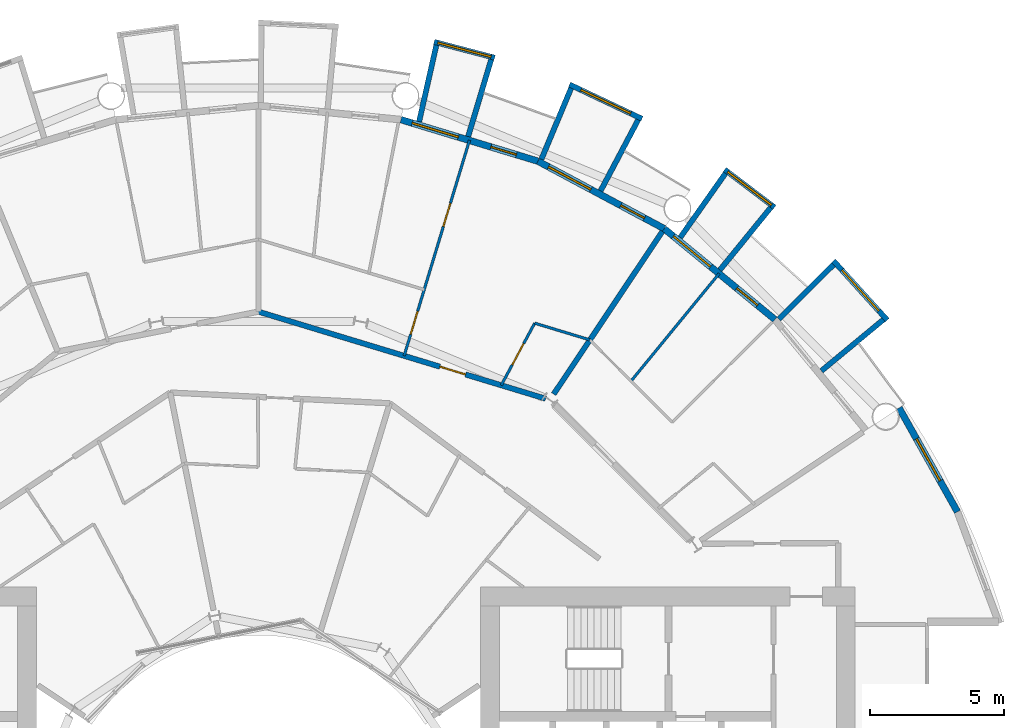
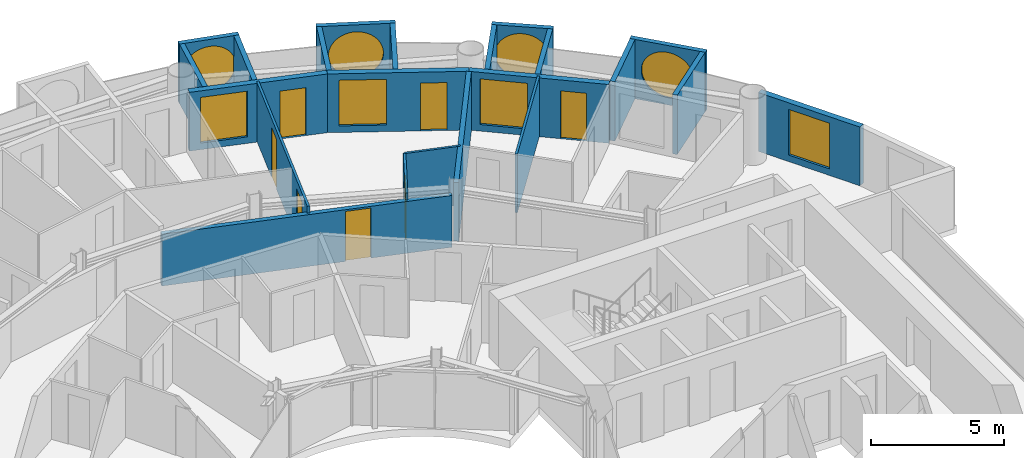
# One storey, part 22 of 26: 22 walls, 8 windows, 7 doors, 15 openings.
"""IFC4 building model written with IfcOpenShell, lengths in metres."""

from ifc_helpers import new_model, si_unit, direction, frame, frame_2d, origin, place, context, subcontext, project, spatial, rectangle, circle, extrude, material, layer, layer_set, type_object, element, fill, save


model = new_model("IFC4")

# Units and contexts
model_context = context("Model", 3, precision=1e-05, world=origin(), true_north=direction((0.0, 1.0)))
body_context = subcontext(model_context, "Body", "Model", "MODEL_VIEW")
ifc_project = project(units=[si_unit("LENGTHUNIT", "METRE"), si_unit("AREAUNIT", "SQUARE_METRE"), si_unit("VOLUMEUNIT", "CUBIC_METRE"), si_unit("PLANEANGLEUNIT", "RADIAN"), si_unit("MASSUNIT", "GRAM", prefix="KILO")], contexts=[model_context])

# Site, building, storey
site_placement = place(None, origin())
site = spatial("IfcSite", under=ifc_project, at=site_placement, CompositionType="ELEMENT")
building_placement = place(site_placement, origin())
building = spatial("IfcBuilding", under=site, at=building_placement, Name="Maasbend Ring Residences", CompositionType="ELEMENT")
storey_placement = place(building_placement, frame((0.0, 0.0, 88.0)))
storey = spatial("IfcBuildingStorey", under=building, at=storey_placement, Name="L25", CompositionType="ELEMENT", Elevation=88.0)

# Wall, opening, door
ifc_material_1 = material(Name="Concrete C30/37", Category="concrete")
ifc_layer_1 = layer(ifc_material_1, 0.199951171875)
ifc_layer_set_1 = layer_set([ifc_layer_1], Name="Concrete C30/37")
wall_type_1 = type_object("IfcWallType", Name="CORRIDOR WALL 200 CONCRETE", PredefinedType="PARTITIONING", material=ifc_layer_set_1)
wall_1_placement = place(storey_placement, frame((-0.007080078125, 19.59912109375, 0.0), z_axis=(0.0, 0.0, 1.0), x_axis=(0.95700958731, -0.290056287291, 0.0)))
wall_1 = element("IfcWall", 1, at=wall_1_placement, inside=storey, type_object=wall_type_1, Name="U-L25-w098", PredefinedType="PARTITIONING", context=body_context, shape_type="SweptSolid", body=[
    extrude(rectangle(XDim=11.225830078125, YDim=0.199951171875, at=frame_2d((5.61279296875, 0.0))), origin(), (0.0, 0.0, 1.0), 2.3798828125),
])
opening_1_placement = place(wall_1_placement, frame((7.093017578125, 0.0, 0.0)))
opening_1 = element("IfcOpeningElement", 2, at=opening_1_placement, cuts=wall_1, Name="Opening D-2505", PredefinedType="OPENING", context=body_context, shape_type="SweptSolid", body=[
    extrude(rectangle(XDim=1.0, YDim=2.300048828125, at=frame_2d((0.5, 1.14990234375))), frame((0.0, 0.10986328125, 0.0), z_axis=(0.0, -1.0, 0.0), x_axis=(1.0, 0.0, 0.0)), (0.0, 0.0, 1.0), 0.219970703125),
])
ifc_material_2 = material(Name="Timber, fire-rated, painted", Category="wood")
door_type_1 = type_object("IfcDoorType", Name="FLAT ENTRANCE DOOR 1000 X 2300 FIRE-RATED", OperationType="NOTDEFINED", PredefinedType="DOOR", material=ifc_material_2)
door_1_placement = place(opening_1_placement, origin())
door_1 = element("IfcDoor", 3, at=door_1_placement, inside=storey, type_object=door_type_1, Name="D-2505", OperationType="SINGLE_SWING_RIGHT", OverallHeight=2.300048828125, OverallWidth=1.0, PredefinedType="DOOR", context=body_context, shape_type="SweptSolid", body=[
    extrude(rectangle(XDim=1.0, YDim=2.300048828125, at=frame_2d((0.5, 1.14990234375))), frame((0.0, 0.02490234375, 0.0), z_axis=(0.0, -1.0, 0.0), x_axis=(1.0, 0.0, 0.0)), (0.0, 0.0, 1.0), 0.050048828125),
])
fill(opening_1, door_1)

# Wall, opening, window
ifc_material_3 = material(Name="Pale anodised aluminium panel", Category="aluminium")
ifc_layer_2 = layer(ifc_material_3, 0.199951171875)
ifc_layer_set_2 = layer_set([ifc_layer_2], Name="EW-BOX")
wall_type_2 = type_object("IfcWallType", Name="EW-BOX", PredefinedType="SOLIDWALL", material=ifc_layer_set_2)
wall_2_placement = place(storey_placement, frame((23.5029296875, 19.281982421875, -0.030029296875), z_axis=(0.0, 0.0, 1.0), x_axis=(-0.671506829416, 0.740998365753, 0.0)))
wall_2 = element("IfcWall", 4, at=wall_2_placement, inside=storey, type_object=wall_type_2, Name="Box front N02", PredefinedType="SOLIDWALL", context=body_context, shape_type="SweptSolid", body=[
    extrude(rectangle(XDim=2.9931640625, YDim=0.199951171875, at=frame_2d((1.49658203125, 0.0))), origin(), (0.0, 0.0, 1.0), 2.72998046875),
])
opening_2_placement = place(wall_2_placement, frame((0.45654296875, 0.0, 0.330078125)))
opening_2 = element("IfcOpeningElement", 5, at=opening_2_placement, cuts=wall_2, Name="Opening W-RD", PredefinedType="OPENING", context=body_context, shape_type="SweptSolid", body=[
    extrude(circle(Radius=1.0400390625, at=frame_2d((1.0400390625, 1.0400390625))), frame((0.0, 0.10986328125, 0.0), z_axis=(0.0, -1.0, 0.0), x_axis=(1.0, 0.0, 0.0)), (0.0, 0.0, 1.0), 0.219970703125),
])
ifc_material_4 = material(Name="Aluminium and clear glass", Category="aluminium")
window_type_1 = type_object("IfcWindowType", Name="W-RD", PartitioningType="SINGLE_PANEL", PredefinedType="WINDOW", material=ifc_material_4)
window_1_placement = place(opening_2_placement, origin())
window_1 = element("IfcWindow", 6, at=window_1_placement, inside=storey, type_object=window_type_1, Name="Round window N02", OverallHeight=2.080078125, OverallWidth=2.080078125, PartitioningType="SINGLE_PANEL", PredefinedType="WINDOW", context=body_context, shape_type="SweptSolid", body=[
    extrude(circle(Radius=1.0400390625, at=frame_2d((1.0400390625, 1.0400390625))), frame((0.0, 0.030029296875, 0.0), z_axis=(0.0, -1.0, 0.0), x_axis=(1.0, 0.0, 0.0)), (0.0, 0.0, 1.0), 0.06005859375),
])
fill(opening_2, window_1)

# Walls
wall_3_placement = place(storey_placement, frame((21.041015625, 17.384033203125, -0.030029296875), z_axis=(0.0, 0.0, 1.0), x_axis=(0.770784861449, 0.63709551667, 0.0)))
element("IfcWall", 7, at=wall_3_placement, inside=storey, type_object=wall_type_2, Name="Box side wall N02 left", PredefinedType="SOLIDWALL", context=body_context, shape_type="SweptSolid", body=[
    extrude(rectangle(XDim=3.005859375, YDim=0.199951171875, at=frame_2d((1.5029296875, 0.0))), origin(), (0.0, 0.0, 1.0), 2.72998046875),
])
wall_4_placement = place(storey_placement, frame((19.449951171875, 19.322998046875, -0.030029296875), z_axis=(0.0, 0.0, 1.0), x_axis=(0.709727076896, 0.704476739375, 0.0)))
element("IfcWall", 8, at=wall_4_placement, inside=storey, type_object=wall_type_2, Name="Box side wall N02 right", PredefinedType="SOLIDWALL", context=body_context, shape_type="SweptSolid", body=[
    extrude(rectangle(XDim=2.883056640625, YDim=0.199951171875, at=frame_2d((1.44140625, 0.0))), origin(), (0.0, 0.0, 1.0), 2.72998046875),
])

# Wall, opening, window
wall_5_placement = place(storey_placement, frame((19.2890625, 23.4970703125, -0.030029296875), z_axis=(0.0, 0.0, 1.0), x_axis=(-0.796842165306, 0.60418752353, 0.0)))
wall_5 = element("IfcWall", 9, at=wall_5_placement, inside=storey, type_object=wall_type_2, Name="Box front N04", PredefinedType="SOLIDWALL", context=body_context, shape_type="SweptSolid", body=[
    extrude(rectangle(XDim=2.3369140625, YDim=0.199951171875, at=frame_2d((1.16845703125, 0.0))), origin(), (0.0, 0.0, 1.0), 2.72998046875),
])
opening_3_placement = place(wall_5_placement, frame((0.128173828125, 0.0, 0.330078125)))
opening_3 = element("IfcOpeningElement", 10, at=opening_3_placement, cuts=wall_5, Name="Opening W-RD", PredefinedType="OPENING", context=body_context, shape_type="SweptSolid", body=[
    extrude(circle(Radius=1.0400390625, at=frame_2d((1.0400390625, 1.0400390625))), frame((0.0, 0.10986328125, 0.0), z_axis=(0.0, -1.0, 0.0), x_axis=(1.0, 0.0, 0.0)), (0.0, 0.0, 1.0), 0.219970703125),
])
window_2_placement = place(opening_3_placement, origin())
window_2 = element("IfcWindow", 11, at=window_2_placement, inside=storey, type_object=window_type_1, Name="Round window N04", OverallHeight=2.080078125, OverallWidth=2.080078125, PartitioningType="SINGLE_PANEL", PredefinedType="WINDOW", context=body_context, shape_type="SweptSolid", body=[
    extrude(circle(Radius=1.0400390625, at=frame_2d((1.0400390625, 1.0400390625))), frame((0.0, 0.030029296875, 0.0), z_axis=(0.0, -1.0, 0.0), x_axis=(1.0, 0.0, 0.0)), (0.0, 0.0, 1.0), 0.06005859375),
])
fill(opening_3, window_2)

# Walls
wall_6_placement = place(storey_placement, frame((17.24609375, 21.155029296875, -0.030029296875), z_axis=(0.0, 0.0, 1.0), x_axis=(0.631741648902, 0.775179004516, 0.0)))
element("IfcWall", 12, at=wall_6_placement, inside=storey, type_object=wall_type_2, Name="Box side wall N04 left", PredefinedType="SOLIDWALL", context=body_context, shape_type="SweptSolid", body=[
    extrude(rectangle(XDim=3.005859375, YDim=0.199951171875, at=frame_2d((1.5029296875, 0.0))), origin(), (0.0, 0.0, 1.0), 2.72998046875),
])
wall_7_placement = place(storey_placement, frame((15.764892578125, 22.3701171875, -0.030029296875), z_axis=(0.0, 0.0, 1.0), x_axis=(0.576274612209, 0.817256123454, 0.0)))
element("IfcWall", 13, at=wall_7_placement, inside=storey, type_object=wall_type_2, Name="Box side wall N04 right", PredefinedType="SOLIDWALL", context=body_context, shape_type="SweptSolid", body=[
    extrude(rectangle(XDim=2.932861328125, YDim=0.199951171875, at=frame_2d((1.46630859375, 0.0))), origin(), (0.0, 0.0, 1.0), 2.72998046875),
])

# Wall, opening, window
wall_8_placement = place(storey_placement, frame((14.3349609375, 26.80810546875, -0.030029296875), z_axis=(0.0, 0.0, 1.0), x_axis=(-0.904000060331, 0.427532327342, 0.0)))
wall_8 = element("IfcWall", 14, at=wall_8_placement, inside=storey, type_object=wall_type_2, Name="Box front N06", PredefinedType="SOLIDWALL", context=body_context, shape_type="SweptSolid", body=[
    extrude(rectangle(XDim=2.993408203125, YDim=0.199951171875, at=frame_2d((1.49658203125, 0.0))), origin(), (0.0, 0.0, 1.0), 2.72998046875),
])
opening_4_placement = place(wall_8_placement, frame((0.45654296875, 0.0, 0.330078125)))
opening_4 = element("IfcOpeningElement", 15, at=opening_4_placement, cuts=wall_8, Name="Opening W-RD", PredefinedType="OPENING", context=body_context, shape_type="SweptSolid", body=[
    extrude(circle(Radius=1.0400390625, at=frame_2d((1.0400390625, 1.0400390625))), frame((0.0, 0.10986328125, 0.0), z_axis=(0.0, -1.0, 0.0), x_axis=(1.0, 0.0, 0.0)), (0.0, 0.0, 1.0), 0.219970703125),
])
window_3_placement = place(opening_4_placement, origin())
window_3 = element("IfcWindow", 16, at=window_3_placement, inside=storey, type_object=window_type_1, Name="Round window N06", OverallHeight=2.080078125, OverallWidth=2.080078125, PartitioningType="SINGLE_PANEL", PredefinedType="WINDOW", context=body_context, shape_type="SweptSolid", body=[
    extrude(circle(Radius=1.0400390625, at=frame_2d((1.0400390625, 1.0400390625))), frame((0.0, 0.030029296875, 0.0), z_axis=(0.0, -1.0, 0.0), x_axis=(1.0, 0.0, 0.0)), (0.0, 0.0, 1.0), 0.06005859375),
])
fill(opening_4, window_3)

# Walls
wall_9_placement = place(storey_placement, frame((12.787109375, 24.113037109375, -0.030029296875), z_axis=(0.0, 0.0, 1.0), x_axis=(0.468365282436, 0.883534924159, 0.0)))
element("IfcWall", 17, at=wall_9_placement, inside=storey, type_object=wall_type_2, Name="Box side wall N06 left", PredefinedType="SOLIDWALL", context=body_context, shape_type="SweptSolid", body=[
    extrude(rectangle(XDim=3.006103515625, YDim=0.199951171875, at=frame_2d((1.5029296875, 0.0))), origin(), (0.0, 0.0, 1.0), 2.72998046875),
])
wall_10_placement = place(storey_placement, frame((10.574951171875, 25.294921875, -0.030029296875), z_axis=(0.0, 0.0, 1.0), x_axis=(0.385697364644, 0.922625353492, 0.0)))
element("IfcWall", 18, at=wall_10_placement, inside=storey, type_object=wall_type_2, Name="Box side wall N06 right", PredefinedType="SOLIDWALL", context=body_context, shape_type="SweptSolid", body=[
    extrude(rectangle(XDim=2.88330078125, YDim=0.199951171875, at=frame_2d((1.441650390625, 0.0))), origin(), (0.0, 0.0, 1.0), 2.72998046875),
])

# Wall, opening, window
wall_11_placement = place(storey_placement, frame((8.827880859375, 29.090087890625, -0.030029296875), z_axis=(0.0, 0.0, 1.0), x_axis=(-0.967377102346, 0.253340762326, 0.0)))
wall_11 = element("IfcWall", 19, at=wall_11_placement, inside=storey, type_object=wall_type_2, Name="Box front N08", PredefinedType="SOLIDWALL", context=body_context, shape_type="SweptSolid", body=[
    extrude(rectangle(XDim=2.3359375, YDim=0.199951171875, at=frame_2d((1.16796875, 0.0))), origin(), (0.0, 0.0, 1.0), 2.72998046875),
])
opening_5_placement = place(wall_11_placement, frame((0.128173828125, 0.0, 0.330078125)))
opening_5 = element("IfcOpeningElement", 20, at=opening_5_placement, cuts=wall_11, Name="Opening W-RD", PredefinedType="OPENING", context=body_context, shape_type="SweptSolid", body=[
    extrude(circle(Radius=1.0400390625, at=frame_2d((1.0400390625, 1.0400390625))), frame((0.0, 0.10986328125, 0.0), z_axis=(0.0, -1.0, 0.0), x_axis=(1.0, 0.0, 0.0)), (0.0, 0.0, 1.0), 0.219970703125),
])
window_4_placement = place(opening_5_placement, origin())
window_4 = element("IfcWindow", 21, at=window_4_placement, inside=storey, type_object=window_type_1, Name="Round window N08", OverallHeight=2.080078125, OverallWidth=2.080078125, PartitioningType="SINGLE_PANEL", PredefinedType="WINDOW", context=body_context, shape_type="SweptSolid", body=[
    extrude(circle(Radius=1.0400390625, at=frame_2d((1.0400390625, 1.0400390625))), frame((0.0, 0.030029296875, 0.0), z_axis=(0.0, -1.0, 0.0), x_axis=(1.0, 0.0, 0.0)), (0.0, 0.0, 1.0), 0.06005859375),
])
fill(opening_5, window_4)

# Walls
wall_12_placement = place(storey_placement, frame((7.8369140625, 26.14404296875, -0.030029296875), z_axis=(0.0, 0.0, 1.0), x_axis=(0.287064767992, 0.957911174889, 0.0)))
element("IfcWall", 22, at=wall_12_placement, inside=storey, type_object=wall_type_2, Name="Box side wall N08 left", PredefinedType="SOLIDWALL", context=body_context, shape_type="SweptSolid", body=[
    extrude(rectangle(XDim=3.00634765625, YDim=0.199951171875, at=frame_2d((1.503173828125, 0.0))), origin(), (0.0, 0.0, 1.0), 2.72998046875),
])
wall_13_placement = place(storey_placement, frame((6.00390625, 26.699951171875, -0.030029296875), z_axis=(0.0, 0.0, 1.0), x_axis=(0.219609259383, 0.975587911566, 0.0)))
element("IfcWall", 23, at=wall_13_placement, inside=storey, type_object=wall_type_2, Name="Box side wall N08 right", PredefinedType="SOLIDWALL", context=body_context, shape_type="SweptSolid", body=[
    extrude(rectangle(XDim=2.9326171875, YDim=0.199951171875, at=frame_2d((1.46630859375, 0.0))), origin(), (0.0, 0.0, 1.0), 2.72998046875),
])

# Wall, openings, door, window
ifc_material_5 = material(Name="Aluminium clad insulated panel", Category="aluminium")
ifc_layer_3 = layer(ifc_material_5, 0.25)
ifc_layer_set_3 = layer_set([ifc_layer_3], Name="EW-GL")
wall_type_3 = type_object("IfcWallType", Name="EW-GL", PredefinedType="SOLIDWALL", material=ifc_layer_set_3)
wall_14_placement = place(storey_placement, frame((19.303955078125, 19.303955078125, 0.0), z_axis=(0.0, 0.0, 1.0), x_axis=(-0.773019449054, 0.634382322723, 0.0)))
wall_14 = element("IfcWall", 24, at=wall_14_placement, inside=storey, type_object=wall_type_3, Name="External wall N02", PredefinedType="SOLIDWALL", context=body_context, shape_type="SweptSolid", body=[
    extrude(rectangle(XDim=5.351806640625, YDim=0.25, at=frame_2d((2.67578125, 0.0))), origin(), (0.0, 0.0, 1.0), 2.699951171875),
])
opening_6_placement = place(wall_14_placement, frame((0.841064453125, 0.0, 0.0)))
opening_6 = element("IfcOpeningElement", 25, at=opening_6_placement, cuts=wall_14, Name="Opening D-LG", PredefinedType="OPENING", context=body_context, shape_type="SweptSolid", body=[
    extrude(rectangle(XDim=1.0, YDim=2.199951171875, at=frame_2d((0.5, 1.10009765625))), frame((0.0, 0.135009765625, 0.0), z_axis=(0.0, -1.0, 0.0), x_axis=(1.0, 0.0, 0.0)), (0.0, 0.0, 1.0), 0.27001953125),
])
opening_7_placement = place(wall_14_placement, frame((3.110595703125, 0.0, 0.300048828125)))
opening_7 = element("IfcOpeningElement", 26, at=opening_7_placement, cuts=wall_14, Name="Opening W-BX", PredefinedType="OPENING", context=body_context, shape_type="SweptSolid", body=[
    extrude(rectangle(XDim=1.800048828125, YDim=2.10009765625, at=frame_2d((0.89990234375, 1.050048828125))), frame((0.0, 0.135009765625, 0.0), z_axis=(0.0, -1.0, 0.0), x_axis=(1.0, 0.0, 0.0)), (0.0, 0.0, 1.0), 0.27001953125),
])
ifc_material_6 = material(Name="Aluminium and clear glass", Category="aluminium")
door_type_2 = type_object("IfcDoorType", Name="D-LG", OperationType="SINGLE_SWING_LEFT", PredefinedType="DOOR", material=ifc_material_6)
door_2_placement = place(opening_6_placement, origin())
door_2 = element("IfcDoor", 27, at=door_2_placement, inside=storey, type_object=door_type_2, Name="Loggia door N03", OperationType="SINGLE_SWING_LEFT", OverallHeight=2.199951171875, OverallWidth=1.0, PredefinedType="DOOR", context=body_context, shape_type="SweptSolid", body=[
    extrude(rectangle(XDim=1.0, YDim=2.199951171875, at=frame_2d((0.5, 1.10009765625))), frame((0.0, 0.02490234375, 0.0), z_axis=(0.0, -1.0, 0.0), x_axis=(1.0, 0.0, 0.0)), (0.0, 0.0, 1.0), 0.050048828125),
])
fill(opening_6, door_2)
ifc_material_7 = material(Name="Aluminium and clear glass", Category="aluminium")
window_type_2 = type_object("IfcWindowType", Name="W-BX", PartitioningType="DOUBLE_PANEL_VERTICAL", PredefinedType="WINDOW", material=ifc_material_7)
window_5_placement = place(opening_7_placement, origin())
window_5 = element("IfcWindow", 28, at=window_5_placement, inside=storey, type_object=window_type_2, Name="Window N04 room to box", OverallHeight=2.10009765625, OverallWidth=1.800048828125, PartitioningType="SINGLE_PANEL", PredefinedType="WINDOW", context=body_context, shape_type="SweptSolid", body=[
    extrude(rectangle(XDim=1.800048828125, YDim=2.10009765625, at=frame_2d((0.89990234375, 1.050048828125))), frame((0.0, 0.030029296875, 0.0), z_axis=(0.0, -1.0, 0.0), x_axis=(1.0, 0.0, 0.0)), (0.0, 0.0, 1.0), 0.06005859375),
])
fill(opening_7, window_5)

wall_15_placement = place(storey_placement, frame((15.1669921875, 22.698974609375, 0.0), z_axis=(0.0, 0.0, 1.0), x_axis=(-0.881915646801, 0.471407246368, 0.0)))
wall_15 = element("IfcWall", 29, at=wall_15_placement, inside=storey, type_object=wall_type_3, Name="External wall N03", PredefinedType="SOLIDWALL", context=body_context, shape_type="SweptSolid", body=[
    extrude(rectangle(XDim=5.35205078125, YDim=0.25, at=frame_2d((2.676025390625, 0.0))), origin(), (0.0, 0.0, 1.0), 2.699951171875),
])
opening_8_placement = place(wall_15_placement, frame((0.841064453125, 0.0, 0.0)))
opening_8 = element("IfcOpeningElement", 30, at=opening_8_placement, cuts=wall_15, Name="Opening D-LG", PredefinedType="OPENING", context=body_context, shape_type="SweptSolid", body=[
    extrude(rectangle(XDim=1.0, YDim=2.199951171875, at=frame_2d((0.5, 1.10009765625))), frame((0.0, 0.135009765625, 0.0), z_axis=(0.0, -1.0, 0.0), x_axis=(1.0, 0.0, 0.0)), (0.0, 0.0, 1.0), 0.27001953125),
])
opening_9_placement = place(wall_15_placement, frame((3.110595703125, 0.0, 0.300048828125)))
opening_9 = element("IfcOpeningElement", 31, at=opening_9_placement, cuts=wall_15, Name="Opening W-BX", PredefinedType="OPENING", context=body_context, shape_type="SweptSolid", body=[
    extrude(rectangle(XDim=1.800048828125, YDim=2.10009765625, at=frame_2d((0.89990234375, 1.050048828125))), frame((0.0, 0.135009765625, 0.0), z_axis=(0.0, -1.0, 0.0), x_axis=(1.0, 0.0, 0.0)), (0.0, 0.0, 1.0), 0.27001953125),
])
door_3_placement = place(opening_8_placement, origin())
door_3 = element("IfcDoor", 32, at=door_3_placement, inside=storey, type_object=door_type_2, Name="Loggia door N05", OperationType="SINGLE_SWING_LEFT", OverallHeight=2.199951171875, OverallWidth=1.0, PredefinedType="DOOR", context=body_context, shape_type="SweptSolid", body=[
    extrude(rectangle(XDim=1.0, YDim=2.199951171875, at=frame_2d((0.5, 1.10009765625))), frame((0.0, 0.02490234375, 0.0), z_axis=(0.0, -1.0, 0.0), x_axis=(1.0, 0.0, 0.0)), (0.0, 0.0, 1.0), 0.050048828125),
])
fill(opening_8, door_3)
window_6_placement = place(opening_9_placement, origin())
window_6 = element("IfcWindow", 33, at=window_6_placement, inside=storey, type_object=window_type_2, Name="Window N06 room to box", OverallHeight=2.10009765625, OverallWidth=1.800048828125, PartitioningType="SINGLE_PANEL", PredefinedType="WINDOW", context=body_context, shape_type="SweptSolid", body=[
    extrude(rectangle(XDim=1.800048828125, YDim=2.10009765625, at=frame_2d((0.89990234375, 1.050048828125))), frame((0.0, 0.030029296875, 0.0), z_axis=(0.0, -1.0, 0.0), x_axis=(1.0, 0.0, 0.0)), (0.0, 0.0, 1.0), 0.06005859375),
])
fill(opening_9, window_6)

wall_16_placement = place(storey_placement, frame((10.447021484375, 25.221923828125, 0.0), z_axis=(0.0, 0.0, 1.0), x_axis=(-0.956965678721, 0.290201119486, 0.0)))
wall_16 = element("IfcWall", 34, at=wall_16_placement, inside=storey, type_object=wall_type_3, Name="External wall N04", PredefinedType="SOLIDWALL", context=body_context, shape_type="SweptSolid", body=[
    extrude(rectangle(XDim=5.351318359375, YDim=0.25, at=frame_2d((2.67578125, 0.0))), origin(), (0.0, 0.0, 1.0), 2.699951171875),
])
opening_10_placement = place(wall_16_placement, frame((0.841064453125, 0.0, 0.0)))
opening_10 = element("IfcOpeningElement", 35, at=opening_10_placement, cuts=wall_16, Name="Opening D-LG", PredefinedType="OPENING", context=body_context, shape_type="SweptSolid", body=[
    extrude(rectangle(XDim=1.0, YDim=2.199951171875, at=frame_2d((0.5, 1.10009765625))), frame((0.0, 0.135009765625, 0.0), z_axis=(0.0, -1.0, 0.0), x_axis=(1.0, 0.0, 0.0)), (0.0, 0.0, 1.0), 0.27001953125),
])
opening_11_placement = place(wall_16_placement, frame((3.110595703125, 0.0, 0.300048828125)))
opening_11 = element("IfcOpeningElement", 36, at=opening_11_placement, cuts=wall_16, Name="Opening W-BX", PredefinedType="OPENING", context=body_context, shape_type="SweptSolid", body=[
    extrude(rectangle(XDim=1.800048828125, YDim=2.10009765625, at=frame_2d((0.89990234375, 1.050048828125))), frame((0.0, 0.135009765625, 0.0), z_axis=(0.0, -1.0, 0.0), x_axis=(1.0, 0.0, 0.0)), (0.0, 0.0, 1.0), 0.27001953125),
])
door_4_placement = place(opening_10_placement, origin())
door_4 = element("IfcDoor", 37, at=door_4_placement, inside=storey, type_object=door_type_2, Name="Loggia door N07", OperationType="SINGLE_SWING_LEFT", OverallHeight=2.199951171875, OverallWidth=1.0, PredefinedType="DOOR", context=body_context, shape_type="SweptSolid", body=[
    extrude(rectangle(XDim=1.0, YDim=2.199951171875, at=frame_2d((0.5, 1.10009765625))), frame((0.0, 0.02490234375, 0.0), z_axis=(0.0, -1.0, 0.0), x_axis=(1.0, 0.0, 0.0)), (0.0, 0.0, 1.0), 0.050048828125),
])
fill(opening_10, door_4)
window_7_placement = place(opening_11_placement, origin())
window_7 = element("IfcWindow", 38, at=window_7_placement, inside=storey, type_object=window_type_2, Name="Window N08 room to box", OverallHeight=2.10009765625, OverallWidth=1.800048828125, PartitioningType="SINGLE_PANEL", PredefinedType="WINDOW", context=body_context, shape_type="SweptSolid", body=[
    extrude(rectangle(XDim=1.800048828125, YDim=2.10009765625, at=frame_2d((0.89990234375, 1.050048828125))), frame((0.0, 0.030029296875, 0.0), z_axis=(0.0, -1.0, 0.0), x_axis=(1.0, 0.0, 0.0)), (0.0, 0.0, 1.0), 0.06005859375),
])
fill(opening_11, window_7)

# Wall, opening, window
ifc_material_8 = material(Name="Aluminium clad insulated panel", Category="aluminium")
ifc_layer_4 = layer(ifc_material_8, 0.25)
ifc_layer_set_4 = layer_set([ifc_layer_4], Name="EW-HORN")
wall_type_4 = type_object("IfcWallType", Name="EW-HORN", PredefinedType="SOLIDWALL", material=ifc_layer_set_4)
wall_17_placement = place(storey_placement, frame((26.126953125, 12.116943359375, 0.0), z_axis=(0.0, 0.0, 1.0), x_axis=(-0.489696356642, 0.871893042919, 0.0)))
wall_17 = element("IfcWall", 39, at=wall_17_placement, inside=storey, type_object=wall_type_4, Name="Horn wall 1.2", PredefinedType="SOLIDWALL", context=body_context, shape_type="SweptSolid", body=[
    extrude(rectangle(XDim=4.45361328125, YDim=0.25, at=frame_2d((2.226806640625, 0.0))), origin(), (0.0, 0.0, 1.0), 2.699951171875),
])
opening_12_placement = place(wall_17_placement, frame((1.32666015625, 0.0, 0.300048828125)))
opening_12 = element("IfcOpeningElement", 40, at=opening_12_placement, cuts=wall_17, Name="Opening W-BX", PredefinedType="OPENING", context=body_context, shape_type="SweptSolid", body=[
    extrude(rectangle(XDim=1.800048828125, YDim=2.10009765625, at=frame_2d((0.89990234375, 1.050048828125))), frame((0.0, 0.135009765625, 0.0), z_axis=(0.0, -1.0, 0.0), x_axis=(1.0, 0.0, 0.0)), (0.0, 0.0, 1.0), 0.27001953125),
])
window_8_placement = place(opening_12_placement, origin())
window_8 = element("IfcWindow", 41, at=window_8_placement, inside=storey, type_object=window_type_2, Name="Horn window 1.2", OverallHeight=2.10009765625, OverallWidth=1.800048828125, PartitioningType="SINGLE_PANEL", PredefinedType="WINDOW", context=body_context, shape_type="SweptSolid", body=[
    extrude(rectangle(XDim=1.800048828125, YDim=2.10009765625, at=frame_2d((0.89990234375, 1.050048828125))), frame((0.0, 0.030029296875, 0.0), z_axis=(0.0, -1.0, 0.0), x_axis=(1.0, 0.0, 0.0)), (0.0, 0.0, 1.0), 0.06005859375),
])
fill(opening_12, window_8)

# Wall, openings, doors
ifc_material_9 = material(Name="Gypsum board on steel studs", Category="steel")
ifc_layer_5 = layer(ifc_material_9, 0.10009765625)
ifc_layer_set_5 = layer_set([ifc_layer_5], Name="PARTITION 100 GYPSUM")
wall_type_5 = type_object("IfcWallType", Name="PARTITION 100 GYPSUM", PredefinedType="PARTITIONING", material=ifc_layer_set_5)
wall_18_placement = place(storey_placement, frame((5.445068359375, 17.947998046875, 0.0), z_axis=(0.0, 0.0, 1.0), x_axis=(0.290158700753, 0.956978541231, 0.0)))
wall_18 = element("IfcWall", 42, at=wall_18_placement, inside=storey, type_object=wall_type_5, Name="U-L25-w070", PredefinedType="PARTITIONING", context=body_context, shape_type="SweptSolid", body=[
    extrude(rectangle(XDim=8.419189453125, YDim=0.10009765625, at=frame_2d((4.20947265625, 0.0))), origin(), (0.0, 0.0, 1.0), 2.699951171875),
])
opening_13_placement = place(wall_18_placement, frame((0.842041015625, 0.0, 0.0)))
opening_13 = element("IfcOpeningElement", 43, at=opening_13_placement, cuts=wall_18, Name="Opening D-2507", PredefinedType="OPENING", context=body_context, shape_type="SweptSolid", body=[
    extrude(rectangle(XDim=0.89990234375, YDim=2.300048828125, at=frame_2d((0.449951171875, 1.14990234375))), frame((0.0, 0.06005859375, 0.0), z_axis=(0.0, -1.0, 0.0), x_axis=(1.0, 0.0, 0.0)), (0.0, 0.0, 1.0), 0.1201171875),
])
opening_14_placement = place(wall_18_placement, frame((5.052001953125, 0.0, 0.0)))
opening_14 = element("IfcOpeningElement", 44, at=opening_14_placement, cuts=wall_18, Name="Opening D-2508", PredefinedType="OPENING", context=body_context, shape_type="SweptSolid", body=[
    extrude(rectangle(XDim=0.89990234375, YDim=2.300048828125, at=frame_2d((0.449951171875, 1.14990234375))), frame((0.0, 0.06005859375, 0.0), z_axis=(0.0, -1.0, 0.0), x_axis=(1.0, 0.0, 0.0)), (0.0, 0.0, 1.0), 0.1201171875),
])
ifc_material_10 = material(Name="Timber, painted", Category="wood")
door_type_3 = type_object("IfcDoorType", Name="INTERNAL DOOR 900 X 2300", OperationType="NOTDEFINED", PredefinedType="DOOR", material=ifc_material_10)
door_5_placement = place(opening_13_placement, origin())
door_5 = element("IfcDoor", 45, at=door_5_placement, inside=storey, type_object=door_type_3, Name="D-2507", OperationType="SINGLE_SWING_LEFT", OverallHeight=2.300048828125, OverallWidth=0.89990234375, PredefinedType="DOOR", context=body_context, shape_type="SweptSolid", body=[
    extrude(rectangle(XDim=0.89990234375, YDim=2.300048828125, at=frame_2d((0.449951171875, 1.14990234375))), frame((0.0, 0.02490234375, 0.0), z_axis=(0.0, -1.0, 0.0), x_axis=(1.0, 0.0, 0.0)), (0.0, 0.0, 1.0), 0.050048828125),
])
fill(opening_13, door_5)
door_6_placement = place(opening_14_placement, origin())
door_6 = element("IfcDoor", 46, at=door_6_placement, inside=storey, type_object=door_type_3, Name="D-2508", OperationType="SINGLE_SWING_RIGHT", OverallHeight=2.300048828125, OverallWidth=0.89990234375, PredefinedType="DOOR", context=body_context, shape_type="SweptSolid", body=[
    extrude(rectangle(XDim=0.89990234375, YDim=2.300048828125, at=frame_2d((0.449951171875, 1.14990234375))), frame((0.0, 0.02490234375, 0.0), z_axis=(0.0, -1.0, 0.0), x_axis=(1.0, 0.0, 0.0)), (0.0, 0.0, 1.0), 0.050048828125),
])
fill(opening_14, door_6)

# Wall, opening, door
wall_19_placement = place(storey_placement, frame((9.073974609375, 16.846923828125, 0.0), z_axis=(0.0, 0.0, 1.0), x_axis=(0.474160570331, 0.880438387136, 0.0)))
wall_19 = element("IfcWall", 47, at=wall_19_placement, inside=storey, type_object=wall_type_5, Name="U-L25-w074", PredefinedType="PARTITIONING", context=body_context, shape_type="SweptSolid", body=[
    extrude(rectangle(XDim=2.63623046875, YDim=0.10009765625, at=frame_2d((1.318115234375, 0.0))), origin(), (0.0, 0.0, 1.0), 2.699951171875),
])
opening_15_placement = place(wall_19_placement, frame((0.867919921875, 0.0, 0.0)))
opening_15 = element("IfcOpeningElement", 48, at=opening_15_placement, cuts=wall_19, Name="Opening D-2506", PredefinedType="OPENING", context=body_context, shape_type="SweptSolid", body=[
    extrude(rectangle(XDim=0.89990234375, YDim=2.300048828125, at=frame_2d((0.449951171875, 1.14990234375))), frame((0.0, 0.06005859375, 0.0), z_axis=(0.0, -1.0, 0.0), x_axis=(1.0, 0.0, 0.0)), (0.0, 0.0, 1.0), 0.1201171875),
])
door_7_placement = place(opening_15_placement, origin())
door_7 = element("IfcDoor", 49, at=door_7_placement, inside=storey, type_object=door_type_3, Name="D-2506", OperationType="SINGLE_SWING_RIGHT", OverallHeight=2.300048828125, OverallWidth=0.89990234375, PredefinedType="DOOR", context=body_context, shape_type="SweptSolid", body=[
    extrude(rectangle(XDim=0.89990234375, YDim=2.300048828125, at=frame_2d((0.449951171875, 1.14990234375))), frame((0.0, 0.02490234375, 0.0), z_axis=(0.0, -1.0, 0.0), x_axis=(1.0, 0.0, 0.0)), (0.0, 0.0, 1.0), 0.050048828125),
])
fill(opening_15, door_7)

# Walls
wall_20_placement = place(storey_placement, frame((13.927001953125, 17.00390625, 0.0), z_axis=(0.0, 0.0, 1.0), x_axis=(0.633774976367, 0.773517471898, 0.0)))
element("IfcWall", 50, at=wall_20_placement, inside=storey, type_object=wall_type_5, Name="U-L25-w078", PredefinedType="PARTITIONING", context=body_context, shape_type="SweptSolid", body=[
    extrude(rectangle(XDim=5.19580078125, YDim=0.10009765625, at=frame_2d((2.597900390625, 0.0))), origin(), (0.0, 0.0, 1.0), 2.699951171875),
])
wall_21_placement = place(storey_placement, frame((10.323974609375, 19.16796875, 0.0), z_axis=(0.0, 0.0, 1.0), x_axis=(0.956993947591, -0.290107883852, 0.0)))
element("IfcWall", 51, at=wall_21_placement, inside=storey, type_object=wall_type_5, Name="U-L25-w105", PredefinedType="PARTITIONING", context=body_context, shape_type="SweptSolid", body=[
    extrude(rectangle(XDim=2.15771484375, YDim=0.10009765625, at=frame_2d((1.078857421875, 0.0))), origin(), (0.0, 0.0, 1.0), 2.699951171875),
])
ifc_material_11 = material(Name="Concrete C30/37", Category="concrete")
ifc_layer_6 = layer(ifc_material_11, 0.199951171875)
ifc_layer_set_6 = layer_set([ifc_layer_6], Name="Concrete C30/37")
wall_type_6 = type_object("IfcWallType", Name="PARTY WALL 200 CONCRETE", PredefinedType="PARTITIONING", material=ifc_layer_set_6)
wall_22_placement = place(storey_placement, frame((11.034912109375, 16.514892578125, 0.0), z_axis=(0.0, 0.0, 1.0), x_axis=(0.555516661303, 0.831505405283, 0.0)))
element("IfcWall", 52, at=wall_22_placement, inside=storey, type_object=wall_type_6, Name="U-L25-w076", PredefinedType="PARTITIONING", context=body_context, shape_type="SweptSolid", body=[
    extrude(rectangle(XDim=7.31201171875, YDim=0.199951171875, at=frame_2d((3.656005859375, 0.0))), origin(), (0.0, 0.0, 1.0), 2.699951171875),
])

save(model, "model.ifc")
